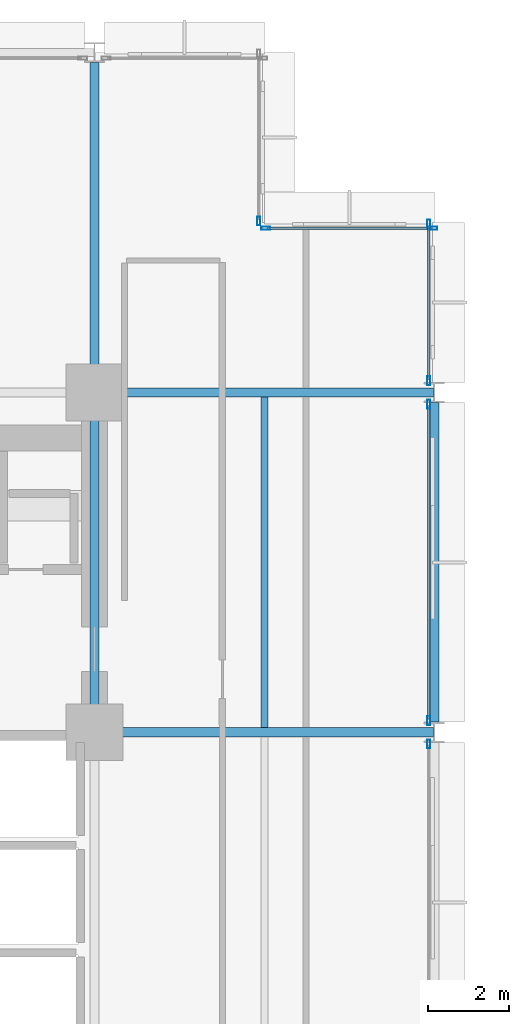
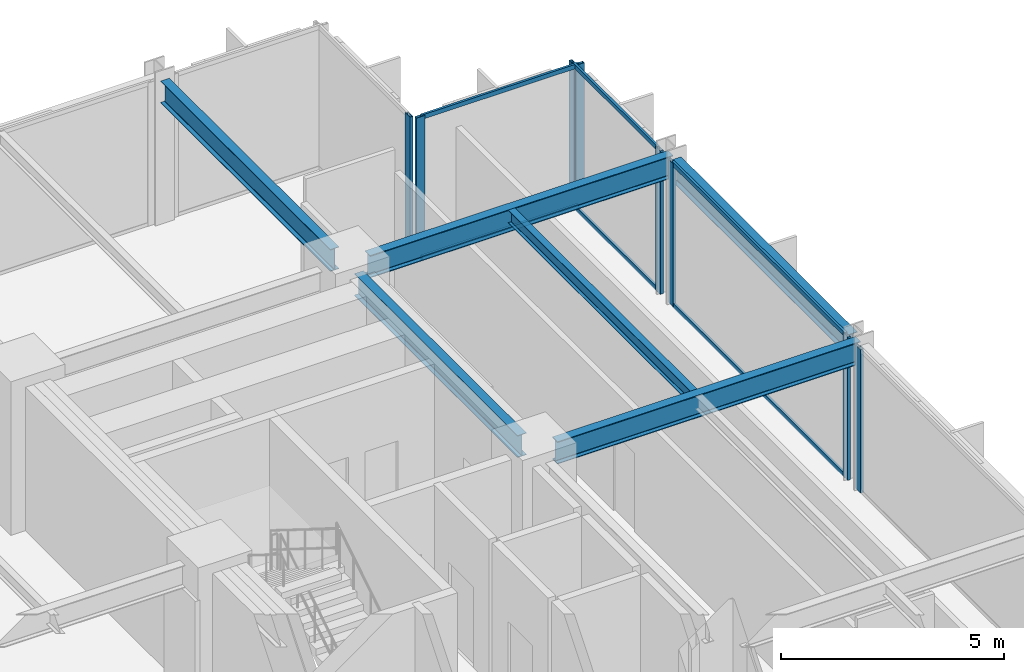
# One storey, part 18 of 30: 14 members, 6 beams, 5 elements without a shape of their own.
"""IFC4 building model written with IfcOpenShell, lengths in metres."""

from ifc_helpers import new_model, si_unit, direction, frame, origin, origin_2d, place, context, subcontext, project, spatial, hollow_rectangle, i_section, extrude, material, layer, layer_set, material_profile, profile_set, type_object, element, aggregate, save


model = new_model("IFC4")

# Units and contexts
model_context = context("Model", 3, precision=1e-05, world=origin(), true_north=direction((0.0, 1.0)))
body_context = subcontext(model_context, "Body", "Model", "MODEL_VIEW")
ifc_project = project(units=[si_unit("LENGTHUNIT", "METRE"), si_unit("AREAUNIT", "SQUARE_METRE"), si_unit("VOLUMEUNIT", "CUBIC_METRE"), si_unit("PLANEANGLEUNIT", "RADIAN"), si_unit("MASSUNIT", "GRAM", prefix="KILO")], contexts=[model_context])

# Site, building, storey
site_placement = place(None, origin())
site = spatial("IfcSite", under=ifc_project, at=site_placement, CompositionType="ELEMENT")
building_placement = place(site_placement, origin())
building = spatial("IfcBuilding", under=site, at=building_placement, Name="Nerrivon Quay Data Exchange", CompositionType="ELEMENT")
storey_placement = place(building_placement, frame((0.0, 0.0, 62.60009765625)))
storey = spatial("IfcBuildingStorey", under=building, at=storey_placement, Name="L14", CompositionType="ELEMENT", Elevation=62.60009765625)

# Beams
ifc_material_1 = material(Name="Steel Grade 350", Category="steel")
ifc_material_profile_1 = material_profile(ifc_material_1, i_section(OverallWidth=0.22900390625, OverallDepth=0.612060546875, WebThickness=0.011962890625, FlangeThickness=0.01953125, FilletRadius=0.013916015625, at=origin_2d()), Name="610UB125")
ifc_profile_set_1 = profile_set([ifc_material_profile_1], Name="Steel Grade 350")
beam_type_1 = type_object("IfcBeamType", Name="BM-G1-610UB125", PredefinedType="BEAM", material=ifc_profile_set_1)
for number, where, z_axis, x_axis, name in (
    (1, (17.340087890625, 33.60009765625, 3.618896484375), (1.0, 0.0, 0.0), (0.0, 1.0, 0.0), "L14 EW Girder Y=33.6 (16.8..25.2)"),
    (2, (17.340087890625, 42.0, 3.618896484375), (1.0, 0.0, 0.0), (0.0, 1.0, 0.0), "L14 EW Girder Y=42.0 (16.8..25.2)"),
):
    element("IfcBeam", number, at=place(storey_placement, frame(where, z_axis=z_axis, x_axis=x_axis)), inside=storey, type_object=beam_type_1, Name=name, PredefinedType="BEAM", context=body_context, shape_type="SweptSolid", body=[
        extrude(i_section(OverallWidth=0.22900390625, OverallDepth=0.612060546875, WebThickness=0.011962890625, FlangeThickness=0.01953125, FilletRadius=0.013916015625, at=origin_2d()), origin(), (0.0, 0.0, 1.0), 7.845947265625),
    ])
ifc_material_profile_2 = material_profile(ifc_material_1, i_section(OverallWidth=0.22802734375, OverallDepth=0.60205078125, WebThickness=0.010498046875, FlangeThickness=0.014892578125, FilletRadius=0.013916015625, at=origin_2d()), Name="610UB101")
ifc_profile_set_2 = profile_set([ifc_material_profile_2], Name="Steel Grade 350")
beam_type_2 = type_object("IfcBeamType", Name="BM-G2-610UB101", PredefinedType="BEAM", material=ifc_profile_set_2)
beam_1_placement = place(storey_placement, frame((16.800048828125, 34.139892578125, 3.6240234375), z_axis=(0.0, 1.0, 0.0), x_axis=(-1.0, 0.0, 0.0)))
element("IfcBeam", 3, at=beam_1_placement, inside=storey, type_object=beam_type_2, Name="L14 NS Girder X=16.8 (33.6..42.0)", PredefinedType="BEAM", context=body_context, shape_type="SweptSolid", body=[
    extrude(i_section(OverallWidth=0.22802734375, OverallDepth=0.60205078125, WebThickness=0.010498046875, FlangeThickness=0.014892578125, FilletRadius=0.013916015625, at=origin_2d()), origin(), (0.0, 0.0, 1.0), 7.320068359375),
])
beam_2_placement = place(storey_placement, frame((16.800048828125, 42.5400390625, 3.6240234375), z_axis=(0.0, 1.0, 0.0), x_axis=(-1.0, 0.0, 0.0)))
element("IfcBeam", 4, at=beam_2_placement, inside=storey, type_object=beam_type_2, Name="L14 NS Girder X=16.8 (42.0..50.4)", PredefinedType="BEAM", context=body_context, shape_type="SweptSolid", body=[
    extrude(i_section(OverallWidth=0.22802734375, OverallDepth=0.60205078125, WebThickness=0.010498046875, FlangeThickness=0.014892578125, FilletRadius=0.013916015625, at=origin_2d()), origin(), (0.0, 0.0, 1.0), 7.60986328125),
])
beam_3_placement = place(storey_placement, frame((25.199951171875, 33.85009765625, 3.6240234375), z_axis=(0.0, 1.0, 0.0), x_axis=(-1.0, 0.0, 0.0)))
element("IfcBeam", 5, at=beam_3_placement, inside=storey, type_object=beam_type_2, Name="L14 NS Girder X=25.2 (33.6..42.0)", PredefinedType="BEAM", context=body_context, shape_type="SweptSolid", body=[
    extrude(i_section(OverallWidth=0.22802734375, OverallDepth=0.60205078125, WebThickness=0.010498046875, FlangeThickness=0.014892578125, FilletRadius=0.013916015625, at=origin_2d()), origin(), (0.0, 0.0, 1.0), 7.89990234375),
])
ifc_material_profile_3 = material_profile(ifc_material_1, i_section(OverallWidth=0.172119140625, OverallDepth=0.35888671875, WebThickness=0.008056640625, FlangeThickness=0.012939453125, FilletRadius=0.011474609375, at=origin_2d()), Name="360UB56.7")
ifc_profile_set_3 = profile_set([ifc_material_profile_3], Name="Steel Grade 350")
beam_type_3 = type_object("IfcBeamType", Name="BM-J3-360UB57", PredefinedType="JOIST", material=ifc_profile_set_3)
beam_4_placement = place(storey_placement, frame((21.0, 33.714599609375, 3.745361328125), z_axis=(0.0, 1.0, 0.0), x_axis=(-1.0, 0.0, 0.0)))
element("IfcBeam", 6, at=beam_4_placement, inside=storey, type_object=beam_type_3, Name="L14 Secondary Joist X=21.0 (33.6..42.0)", PredefinedType="JOIST", context=body_context, shape_type="SweptSolid", body=[
    extrude(i_section(OverallWidth=0.172119140625, OverallDepth=0.35888671875, WebThickness=0.008056640625, FlangeThickness=0.012939453125, FilletRadius=0.011474609375, at=origin_2d()), origin(), (0.0, 0.0, 1.0), 8.1708984375),
])

# Curtain wall, member
ifc_material_2 = material(Name="Anodised aluminium 6063-T6", Category="aluminium")
ifc_layer = layer(ifc_material_2, 0.219970703125)
ifc_layer_set = layer_set([ifc_layer], Name="Anodised aluminium 6063-T6")
curtain_wall_type = type_object("IfcCurtainWallType", Name="CW-SYS-01", PredefinedType="NOTDEFINED", material=ifc_layer_set)
curtain_wall_1_placement = place(storey_placement, origin())
curtain_wall_1 = element("IfcCurtainWall", 7, at=curtain_wall_1_placement, inside=storey, type_object=curtain_wall_type, Name="L14 Unitised Curtain Wall 27", PredefinedType="NOTDEFINED")
ifc_material_profile_4 = material_profile(ifc_material_2, hollow_rectangle(XDim=0.074951171875, YDim=0.219970703125, WallThickness=0.00390625, at=origin_2d()), Name="ALU-MULL-220x75")
ifc_profile_set_4 = profile_set([ifc_material_profile_4], Name="Anodised aluminium 6063-T6")
member_type_1 = type_object("IfcMemberType", Name="CWM-220x75", PredefinedType="MULLION", material=ifc_profile_set_4)
member_1_placement = place(storey_placement, frame((20.860107421875, 46.237548828125, 0.0), z_axis=(0.0, 0.0, 1.0), x_axis=(1.0, 0.0, 0.0)))
member_1 = element("IfcMember", 8, at=member_1_placement, type_object=member_type_1, Name="CW01 mullion 2", PredefinedType="MULLION", context=body_context, shape_type="SweptSolid", body=[
    extrude(hollow_rectangle(XDim=0.074951171875, YDim=0.219970703125, WallThickness=0.00390625, at=origin_2d()), origin(), (0.0, 0.0, 1.0), 3.9248046875),
])
aggregate(curtain_wall_1, [member_1])

# Curtain wall, members
curtain_wall_2_placement = place(storey_placement, origin())
curtain_wall_2 = element("IfcCurtainWall", 9, at=curtain_wall_2_placement, inside=storey, type_object=curtain_wall_type, Name="L14 Unitised Curtain Wall 28", PredefinedType="NOTDEFINED")
member_2_placement = place(storey_placement, frame((21.03759765625, 46.06005859375, 0.0), z_axis=(0.0, 0.0, 1.0), x_axis=(0.0, 1.0, 0.0)))
member_2 = element("IfcMember", 10, at=member_2_placement, type_object=member_type_1, Name="CW01 mullion 1", PredefinedType="MULLION", context=body_context, shape_type="SweptSolid", body=[
    extrude(hollow_rectangle(XDim=0.074951171875, YDim=0.219970703125, WallThickness=0.00390625, at=origin_2d()), origin(), (0.0, 0.0, 1.0), 3.9248046875),
])
member_3_placement = place(storey_placement, frame((25.16259765625, 46.06005859375, 0.0), z_axis=(0.0, 0.0, 1.0), x_axis=(0.0, 1.0, 0.0)))
member_3 = element("IfcMember", 11, at=member_3_placement, type_object=member_type_1, Name="CW01 mullion 2", PredefinedType="MULLION", context=body_context, shape_type="SweptSolid", body=[
    extrude(hollow_rectangle(XDim=0.074951171875, YDim=0.219970703125, WallThickness=0.00390625, at=origin_2d()), origin(), (0.0, 0.0, 1.0), 3.9248046875),
])

curtain_wall_3_placement = place(storey_placement, origin())
curtain_wall_3 = element("IfcCurtainWall", 12, at=curtain_wall_3_placement, inside=storey, type_object=curtain_wall_type, Name="L14 Unitised Curtain Wall 29", PredefinedType="NOTDEFINED")
member_4_placement = place(storey_placement, frame((25.06005859375, 46.16259765625, 0.0), z_axis=(0.0, 0.0, 1.0), x_axis=(1.0, 0.0, 0.0)))
member_4 = element("IfcMember", 13, at=member_4_placement, type_object=member_type_1, Name="CW01 mullion 1", PredefinedType="MULLION", context=body_context, shape_type="SweptSolid", body=[
    extrude(hollow_rectangle(XDim=0.074951171875, YDim=0.219970703125, WallThickness=0.00390625, at=origin_2d()), origin(), (0.0, 0.0, 1.0), 3.9248046875),
])
member_5_placement = place(storey_placement, frame((25.06005859375, 42.28759765625, 0.0), z_axis=(0.0, 0.0, 1.0), x_axis=(1.0, 0.0, 0.0)))
member_5 = element("IfcMember", 14, at=member_5_placement, type_object=member_type_1, Name="CW01 mullion 2", PredefinedType="MULLION", context=body_context, shape_type="SweptSolid", body=[
    extrude(hollow_rectangle(XDim=0.074951171875, YDim=0.219970703125, WallThickness=0.00390625, at=origin_2d()), origin(), (0.0, 0.0, 1.0), 3.9248046875),
])

curtain_wall_4_placement = place(storey_placement, origin())
curtain_wall_4 = element("IfcCurtainWall", 15, at=curtain_wall_4_placement, inside=storey, type_object=curtain_wall_type, Name="L14 Unitised Curtain Wall 30", PredefinedType="NOTDEFINED")
member_6_placement = place(storey_placement, frame((25.06005859375, 41.71240234375, 0.0), z_axis=(0.0, 0.0, 1.0), x_axis=(1.0, 0.0, 0.0)))
member_6 = element("IfcMember", 16, at=member_6_placement, type_object=member_type_1, Name="CW01 mullion 1", PredefinedType="MULLION", context=body_context, shape_type="SweptSolid", body=[
    extrude(hollow_rectangle(XDim=0.074951171875, YDim=0.219970703125, WallThickness=0.00390625, at=origin_2d()), origin(), (0.0, 0.0, 1.0), 3.9248046875),
])
member_7_placement = place(storey_placement, frame((25.06005859375, 33.887451171875, 0.0), z_axis=(0.0, 0.0, 1.0), x_axis=(1.0, 0.0, 0.0)))
member_7 = element("IfcMember", 17, at=member_7_placement, type_object=member_type_1, Name="CW01 mullion 2", PredefinedType="MULLION", context=body_context, shape_type="SweptSolid", body=[
    extrude(hollow_rectangle(XDim=0.074951171875, YDim=0.219970703125, WallThickness=0.00390625, at=origin_2d()), origin(), (0.0, 0.0, 1.0), 3.9248046875),
])

# Curtain wall, member
curtain_wall_5_placement = place(storey_placement, origin())
curtain_wall_5 = element("IfcCurtainWall", 18, at=curtain_wall_5_placement, inside=storey, type_object=curtain_wall_type, Name="L14 Unitised Curtain Wall 31", PredefinedType="NOTDEFINED")
member_8_placement = place(storey_placement, frame((25.06005859375, 33.3125, 0.0), z_axis=(0.0, 0.0, 1.0), x_axis=(1.0, 0.0, 0.0)))
member_8 = element("IfcMember", 19, at=member_8_placement, type_object=member_type_1, Name="CW01 mullion 1", PredefinedType="MULLION", context=body_context, shape_type="SweptSolid", body=[
    extrude(hollow_rectangle(XDim=0.074951171875, YDim=0.219970703125, WallThickness=0.00390625, at=origin_2d()), origin(), (0.0, 0.0, 1.0), 3.9248046875),
])
aggregate(curtain_wall_5, [member_8])

# Member
ifc_material_profile_5 = material_profile(ifc_material_2, hollow_rectangle(XDim=0.06005859375, YDim=0.1201171875, WallThickness=0.003173828125, at=origin_2d()), Name="ALU-TRAN-120x60")
ifc_profile_set_5 = profile_set([ifc_material_profile_5], Name="Anodised aluminium 6063-T6")
member_type_2 = type_object("IfcMemberType", Name="CWT-120x60", PredefinedType="USERDEFINED", material=ifc_profile_set_5)
member_9_placement = place(storey_placement, frame((21.074951171875, 46.06005859375, 0.032470703125), z_axis=(1.0, 0.0, 0.0), x_axis=(0.0, 1.0, 0.0)))
member_9 = element("IfcMember", 20, at=member_9_placement, type_object=member_type_2, Name="CW01 transom 1.1", ObjectType="TRANSOM", PredefinedType="USERDEFINED", context=body_context, shape_type="SweptSolid", body=[
    extrude(hollow_rectangle(XDim=0.06005859375, YDim=0.1201171875, WallThickness=0.003173828125, at=origin_2d()), origin(), (0.0, 0.0, 1.0), 4.050048828125),
])

member_10_placement = place(storey_placement, frame((21.074951171875, 46.06005859375, 3.892333984375), z_axis=(1.0, 0.0, 0.0), x_axis=(0.0, 1.0, 0.0)))
member_10 = element("IfcMember", 21, at=member_10_placement, type_object=member_type_2, Name="CW01 transom 1.2", ObjectType="TRANSOM", PredefinedType="USERDEFINED", context=body_context, shape_type="SweptSolid", body=[
    extrude(hollow_rectangle(XDim=0.06005859375, YDim=0.1201171875, WallThickness=0.003173828125, at=origin_2d()), origin(), (0.0, 0.0, 1.0), 4.050048828125),
])

aggregate(curtain_wall_2, [member_2, member_3, member_9, member_10])

member_11_placement = place(storey_placement, frame((25.06005859375, 46.125, 0.032470703125), z_axis=(0.0, -1.0, 0.0), x_axis=(1.0, 0.0, 0.0)))
member_11 = element("IfcMember", 22, at=member_11_placement, type_object=member_type_2, Name="CW01 transom 1.1", ObjectType="TRANSOM", PredefinedType="USERDEFINED", context=body_context, shape_type="SweptSolid", body=[
    extrude(hollow_rectangle(XDim=0.06005859375, YDim=0.1201171875, WallThickness=0.003173828125, at=origin_2d()), origin(), (0.0, 0.0, 1.0), 3.800048828125),
])

member_12_placement = place(storey_placement, frame((25.06005859375, 46.125, 3.892333984375), z_axis=(0.0, -1.0, 0.0), x_axis=(1.0, 0.0, 0.0)))
member_12 = element("IfcMember", 23, at=member_12_placement, type_object=member_type_2, Name="CW01 transom 1.2", ObjectType="TRANSOM", PredefinedType="USERDEFINED", context=body_context, shape_type="SweptSolid", body=[
    extrude(hollow_rectangle(XDim=0.06005859375, YDim=0.1201171875, WallThickness=0.003173828125, at=origin_2d()), origin(), (0.0, 0.0, 1.0), 3.800048828125),
])

aggregate(curtain_wall_3, [member_4, member_5, member_11, member_12])

member_13_placement = place(storey_placement, frame((25.06005859375, 41.675048828125, 0.032470703125), z_axis=(0.0, -1.0, 0.0), x_axis=(1.0, 0.0, 0.0)))
member_13 = element("IfcMember", 24, at=member_13_placement, type_object=member_type_2, Name="CW01 transom 1.1", ObjectType="TRANSOM", PredefinedType="USERDEFINED", context=body_context, shape_type="SweptSolid", body=[
    extrude(hollow_rectangle(XDim=0.06005859375, YDim=0.1201171875, WallThickness=0.003173828125, at=origin_2d()), origin(), (0.0, 0.0, 1.0), 7.75),
])

member_14_placement = place(storey_placement, frame((25.06005859375, 41.675048828125, 3.892333984375), z_axis=(0.0, -1.0, 0.0), x_axis=(1.0, 0.0, 0.0)))
member_14 = element("IfcMember", 25, at=member_14_placement, type_object=member_type_2, Name="CW01 transom 1.2", ObjectType="TRANSOM", PredefinedType="USERDEFINED", context=body_context, shape_type="SweptSolid", body=[
    extrude(hollow_rectangle(XDim=0.06005859375, YDim=0.1201171875, WallThickness=0.003173828125, at=origin_2d()), origin(), (0.0, 0.0, 1.0), 7.75),
])

aggregate(curtain_wall_4, [member_6, member_7, member_13, member_14])

save(model, "model.ifc")
